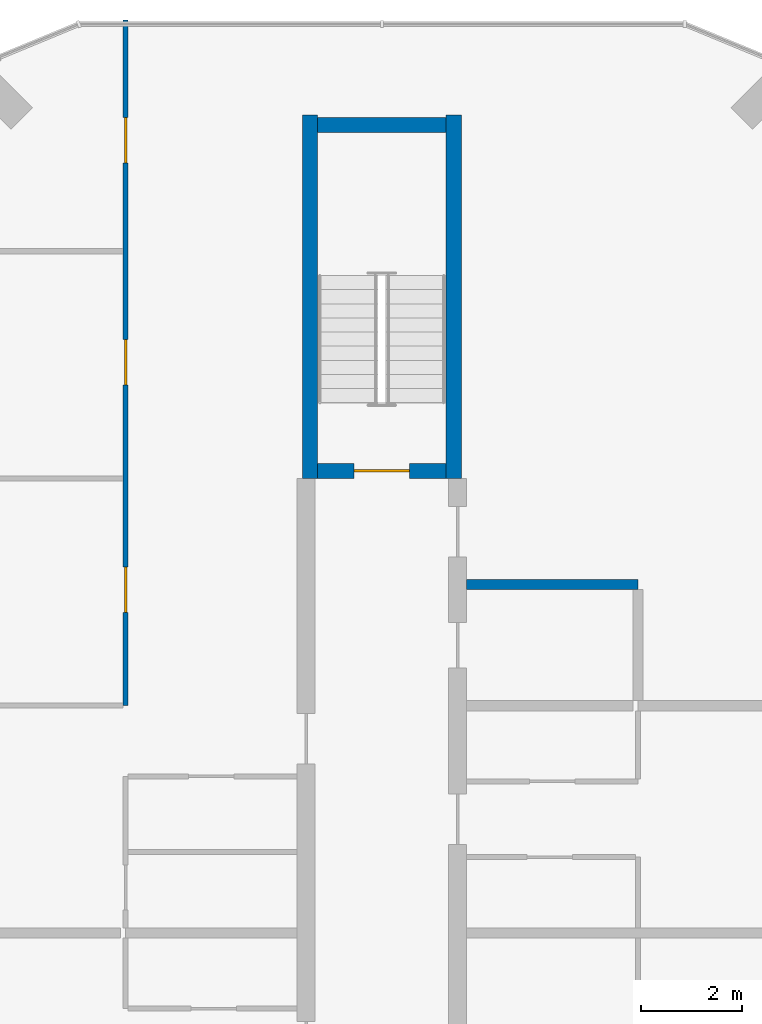
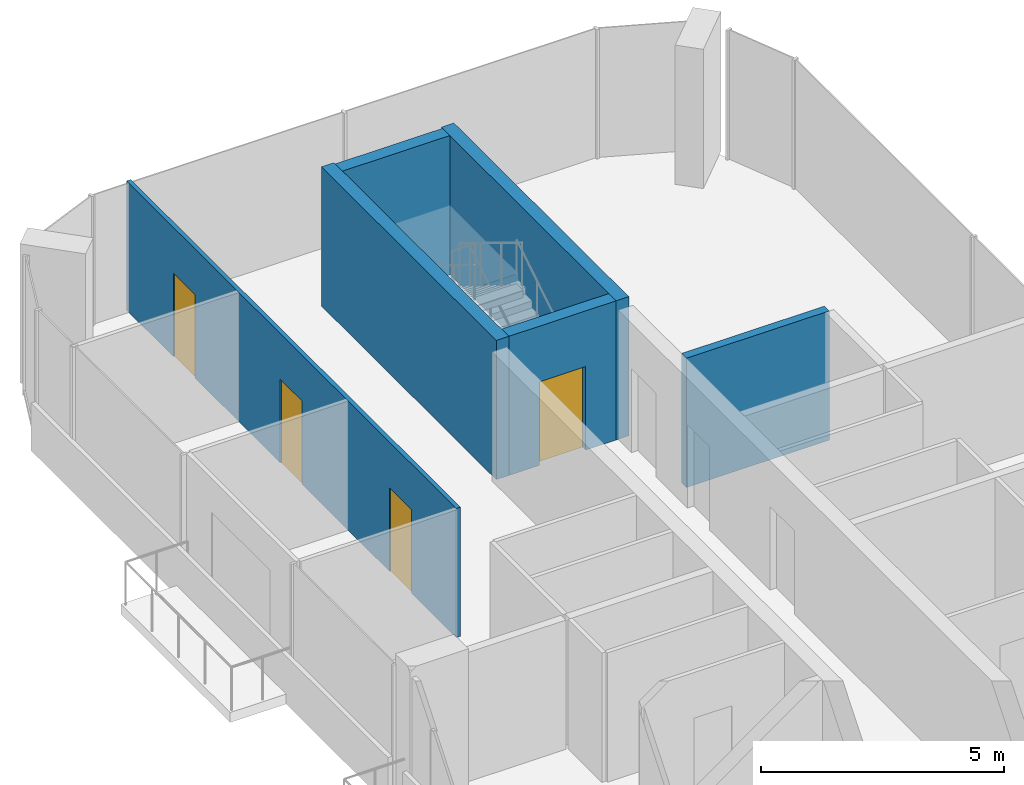
# One storey, part 17 of 23: 6 walls, 4 doors, 4 openings.
"""IFC4 building model written with IfcOpenShell, lengths in metres."""

from ifc_helpers import new_model, si_unit, direction, frame, frame_2d, origin, place, context, subcontext, project, spatial, rectangle, extrude, material, layer, layer_set, type_object, element, fill, save


model = new_model("IFC4")

# Units and contexts
model_context = context("Model", 3, precision=1e-05, world=origin(), true_north=direction((0.0, 1.0)))
body_context = subcontext(model_context, "Body", "Model", "MODEL_VIEW")
ifc_project = project(units=[si_unit("LENGTHUNIT", "METRE"), si_unit("AREAUNIT", "SQUARE_METRE"), si_unit("VOLUMEUNIT", "CUBIC_METRE"), si_unit("PLANEANGLEUNIT", "RADIAN"), si_unit("MASSUNIT", "GRAM", prefix="KILO")], contexts=[model_context])

# Site, building, storey
site_placement = place(None, origin())
site = spatial("IfcSite", under=ifc_project, at=site_placement, CompositionType="ELEMENT")
building_placement = place(site_placement, origin())
building = spatial("IfcBuilding", under=site, at=building_placement, Name="Plateau Cross Towers", CompositionType="ELEMENT")
storey_placement = place(building_placement, frame((0.0, 0.0, 40.800048828125)))
storey = spatial("IfcBuildingStorey", under=building, at=storey_placement, Name="L09", CompositionType="ELEMENT", Elevation=40.800048828125)

# Wall, openings, doors
ifc_material_1 = material(Name="Gypsum board on steel studs", Category="steel")
ifc_layer_1 = layer(ifc_material_1, 0.10009765625)
ifc_layer_set_1 = layer_set([ifc_layer_1], Name="Gypsum board on steel studs")
wall_type_1 = type_object("IfcWallType", Name="Flat partition 100", PredefinedType="PARTITIONING", material=ifc_layer_set_1)
wall_1_placement = place(storey_placement, frame((3.925048828125, 40.5, 0.0), z_axis=(0.0, 0.0, 1.0), x_axis=(0.0, 1.0, 0.0)))
wall_1 = element("IfcWall", 1, at=wall_1_placement, inside=storey, type_object=wall_type_1, Name="Partition wall", PredefinedType="PARTITIONING", context=body_context, shape_type="SweptSolid", body=[
    extrude(rectangle(XDim=13.580078125, YDim=0.10009765625, at=frame_2d((6.7900390625, 0.0))), origin(), (0.0, 0.0, 1.0), 3.25),
])
opening_1_placement = place(wall_1_placement, frame((1.85009765625, 0.0, 0.0)))
opening_1 = element("IfcOpeningElement", 2, at=opening_1_placement, cuts=wall_1, Name="Opening 09-41", PredefinedType="OPENING", context=body_context, shape_type="SweptSolid", body=[
    extrude(rectangle(XDim=0.89990234375, YDim=2.10009765625, at=frame_2d((0.449951171875, 1.050048828125))), frame((0.0, 0.06005859375, 0.0), z_axis=(0.0, -1.0, 0.0), x_axis=(1.0, 0.0, 0.0)), (0.0, 0.0, 1.0), 0.1201171875),
])
opening_2_placement = place(wall_1_placement, frame((6.35009765625, 0.0, 0.0)))
opening_2 = element("IfcOpeningElement", 3, at=opening_2_placement, cuts=wall_1, Name="Opening 09-42", PredefinedType="OPENING", context=body_context, shape_type="SweptSolid", body=[
    extrude(rectangle(XDim=0.89990234375, YDim=2.10009765625, at=frame_2d((0.449951171875, 1.050048828125))), frame((0.0, 0.06005859375, 0.0), z_axis=(0.0, -1.0, 0.0), x_axis=(1.0, 0.0, 0.0)), (0.0, 0.0, 1.0), 0.1201171875),
])
opening_3_placement = place(wall_1_placement, frame((10.75, 0.0, 0.0)))
opening_3 = element("IfcOpeningElement", 4, at=opening_3_placement, cuts=wall_1, Name="Opening 09-43", PredefinedType="OPENING", context=body_context, shape_type="SweptSolid", body=[
    extrude(rectangle(XDim=0.89990234375, YDim=2.10009765625, at=frame_2d((0.449951171875, 1.050048828125))), frame((0.0, 0.06005859375, 0.0), z_axis=(0.0, -1.0, 0.0), x_axis=(1.0, 0.0, 0.0)), (0.0, 0.0, 1.0), 0.1201171875),
])
ifc_material_2 = material(Name="Timber leaf", Category="wood")
door_type_1 = type_object("IfcDoorType", Name="Flat room door 900", OperationType="NOTDEFINED", PredefinedType="DOOR", material=ifc_material_2)
door_1_placement = place(opening_1_placement, origin())
door_1 = element("IfcDoor", 5, at=door_1_placement, inside=storey, type_object=door_type_1, Name="Door 09-41", OperationType="SINGLE_SWING_LEFT", OverallHeight=2.10009765625, OverallWidth=0.89990234375, PredefinedType="DOOR", context=body_context, shape_type="SweptSolid", body=[
    extrude(rectangle(XDim=0.89990234375, YDim=2.10009765625, at=frame_2d((0.449951171875, 1.050048828125))), frame((0.0, 0.02490234375, 0.0), z_axis=(0.0, -1.0, 0.0), x_axis=(1.0, 0.0, 0.0)), (0.0, 0.0, 1.0), 0.050048828125),
])
fill(opening_1, door_1)
door_2_placement = place(opening_2_placement, origin())
door_2 = element("IfcDoor", 6, at=door_2_placement, inside=storey, type_object=door_type_1, Name="Door 09-42", OperationType="SINGLE_SWING_RIGHT", OverallHeight=2.10009765625, OverallWidth=0.89990234375, PredefinedType="DOOR", context=body_context, shape_type="SweptSolid", body=[
    extrude(rectangle(XDim=0.89990234375, YDim=2.10009765625, at=frame_2d((0.449951171875, 1.050048828125))), frame((0.0, 0.02490234375, 0.0), z_axis=(0.0, -1.0, 0.0), x_axis=(1.0, 0.0, 0.0)), (0.0, 0.0, 1.0), 0.050048828125),
])
fill(opening_2, door_2)
door_3_placement = place(opening_3_placement, origin())
door_3 = element("IfcDoor", 7, at=door_3_placement, inside=storey, type_object=door_type_1, Name="Door 09-43", OperationType="SINGLE_SWING_RIGHT", OverallHeight=2.10009765625, OverallWidth=0.89990234375, PredefinedType="DOOR", context=body_context, shape_type="SweptSolid", body=[
    extrude(rectangle(XDim=0.89990234375, YDim=2.10009765625, at=frame_2d((0.449951171875, 1.050048828125))), frame((0.0, 0.02490234375, 0.0), z_axis=(0.0, -1.0, 0.0), x_axis=(1.0, 0.0, 0.0)), (0.0, 0.0, 1.0), 0.050048828125),
])
fill(opening_3, door_3)

# Wall
ifc_material_3 = material(Name="Gypsum board on steel studs, two layers each side", Category="steel")
ifc_layer_2 = layer(ifc_material_3, 0.199951171875)
ifc_layer_set_2 = layer_set([ifc_layer_2], Name="Gypsum board on steel studs, two layers each side")
wall_type_2 = type_object("IfcWallType", Name="Flat party wall 200", PredefinedType="PARTITIONING", material=ifc_layer_set_2)
wall_2_placement = place(storey_placement, frame((14.074951171875, 42.89990234375, 0.0), z_axis=(0.0, 0.0, 1.0), x_axis=(-1.0, 0.0, 0.0)))
element("IfcWall", 8, at=wall_2_placement, inside=storey, type_object=wall_type_2, Name="Party wall", PredefinedType="PARTITIONING", context=body_context, shape_type="SweptSolid", body=[
    extrude(rectangle(XDim=3.39990234375, YDim=0.199951171875, at=frame_2d((1.699951171875, 0.0))), origin(), (0.0, 0.0, 1.0), 3.25),
])

# Wall, opening, door
ifc_material_4 = material(Name="Concrete C60/75", Category="concrete")
ifc_layer_3 = layer(ifc_material_4, 0.300048828125)
ifc_layer_set_3 = layer_set([ifc_layer_3], Name="Concrete C60/75")
wall_type_3 = type_object("IfcWallType", Name="Stair tower wall 300", PredefinedType="SHEAR", material=ifc_layer_set_3)
wall_3_placement = place(storey_placement, frame((7.72509765625, 45.14990234375, 0.0), z_axis=(0.0, 0.0, 1.0), x_axis=(1.0, 0.0, 0.0)))
wall_3 = element("IfcWall", 9, at=wall_3_placement, inside=storey, type_object=wall_type_3, Name="A-end-N-S@L09", PredefinedType="SHEAR", context=body_context, shape_type="SweptSolid", body=[
    extrude(rectangle(XDim=2.5498046875, YDim=0.300048828125, at=frame_2d((1.27490234375, 0.0))), origin(), (0.0, 0.0, 1.0), 3.5),
])
opening_4_placement = place(wall_3_placement, frame((0.72509765625, 0.0, 0.0)))
opening_4 = element("IfcOpeningElement", 10, at=opening_4_placement, cuts=wall_3, Name="Opening SD", PredefinedType="OPENING", context=body_context, shape_type="SweptSolid", body=[
    extrude(rectangle(XDim=1.10009765625, YDim=2.10009765625, at=frame_2d((0.550048828125, 1.050048828125))), frame((0.0, 0.159912109375, 0.0), z_axis=(0.0, -1.0, 0.0), x_axis=(1.0, 0.0, 0.0)), (0.0, 0.0, 1.0), 0.320068359375),
])
ifc_material_5 = material(Name="Steel, fire-resisting leaf", Category="steel")
door_type_2 = type_object("IfcDoorType", Name="Stair door 1100", OperationType="NOTDEFINED", PredefinedType="DOOR", material=ifc_material_5)
door_4_placement = place(opening_4_placement, origin())
door_4 = element("IfcDoor", 11, at=door_4_placement, inside=storey, type_object=door_type_2, Name="Stair door SD", OperationType="SINGLE_SWING_LEFT", OverallHeight=2.10009765625, OverallWidth=1.10009765625, PredefinedType="DOOR", context=body_context, shape_type="SweptSolid", body=[
    extrude(rectangle(XDim=1.10009765625, YDim=2.10009765625, at=frame_2d((0.550048828125, 1.050048828125))), frame((0.0, 0.02490234375, 0.0), z_axis=(0.0, -1.0, 0.0), x_axis=(1.0, 0.0, 0.0)), (0.0, 0.0, 1.0), 0.050048828125),
])
fill(opening_4, door_4)

# Walls
wall_4_placement = place(storey_placement, frame((7.72509765625, 52.0, 0.0), z_axis=(0.0, 0.0, 1.0), x_axis=(1.0, 0.0, 0.0)))
element("IfcWall", 12, at=wall_4_placement, inside=storey, type_object=wall_type_3, Name="A-end-N-N@L09", PredefinedType="SHEAR", context=body_context, shape_type="SweptSolid", body=[
    extrude(rectangle(XDim=2.5498046875, YDim=0.300048828125, at=frame_2d((1.27490234375, 0.0))), origin(), (0.0, 0.0, 1.0), 3.5),
])
for number, where, z_axis, x_axis, name in (
    (13, (7.574951171875, 45.0, 0.0), (0.0, 0.0, 1.0), (0.0, 1.0, 0.0), "A-end-N-W@L09"),
    (14, (10.425048828125, 45.0, 0.0), (0.0, 0.0, 1.0), (0.0, 1.0, 0.0), "A-end-N-E@L09"),
):
    element("IfcWall", number, at=place(storey_placement, frame(where, z_axis=z_axis, x_axis=x_axis)), inside=storey, type_object=wall_type_3, Name=name, PredefinedType="SHEAR", context=body_context, shape_type="SweptSolid", body=[
        extrude(rectangle(XDim=7.199951171875, YDim=0.300048828125, at=frame_2d((3.60009765625, 0.0))), origin(), (0.0, 0.0, 1.0), 3.5),
    ])

save(model, "model.ifc")
